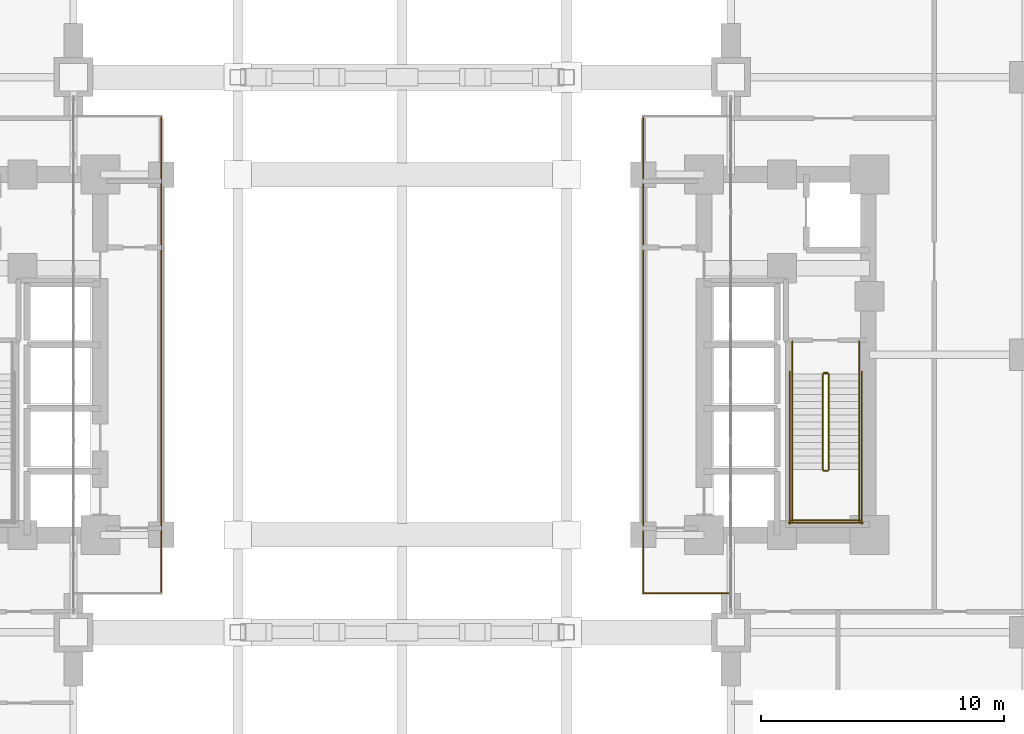
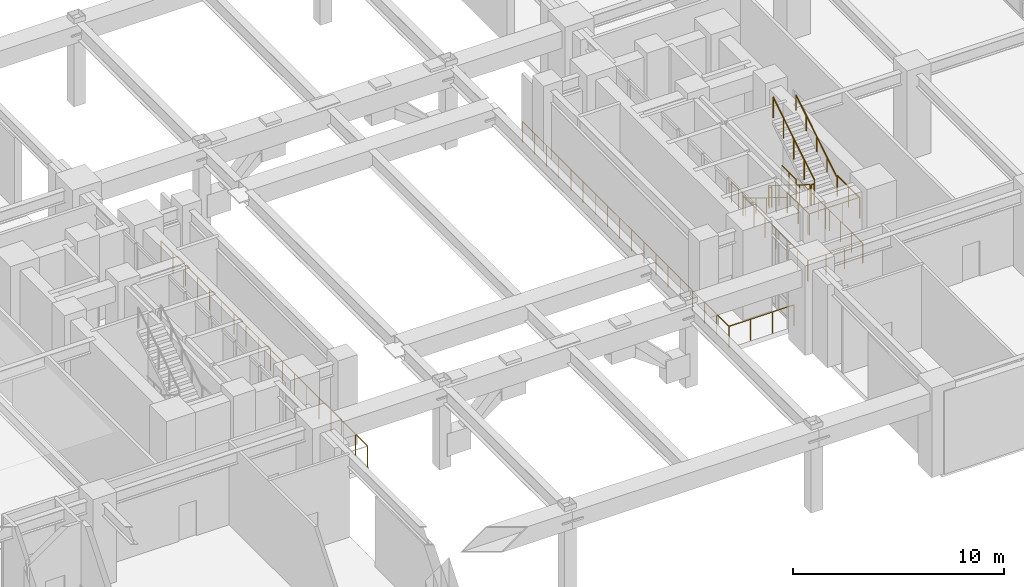
# One storey, part 24 of 26: 17 railings.
"""IFC4 building model written with IfcOpenShell, lengths in metres."""

from ifc_helpers import new_model, si_unit, direction, frame, origin, origin_2d, place, context, subcontext, project, spatial, circle, extrude, material, type_object, element, save


model = new_model("IFC4")

# Units and contexts
model_context = context("Model", 3, precision=1e-05, world=origin(), true_north=direction((0.0, 1.0)))
body_context = subcontext(model_context, "Body", "Model", "MODEL_VIEW")
ifc_project = project(units=[si_unit("LENGTHUNIT", "METRE"), si_unit("AREAUNIT", "SQUARE_METRE"), si_unit("VOLUMEUNIT", "CUBIC_METRE"), si_unit("PLANEANGLEUNIT", "RADIAN"), si_unit("MASSUNIT", "GRAM", prefix="KILO")], contexts=[model_context])

# Site, building, storey
site_placement = place(None, origin())
site = spatial("IfcSite", under=ifc_project, at=site_placement, CompositionType="ELEMENT")
building_placement = place(site_placement, origin())
building = spatial("IfcBuilding", under=site, at=building_placement, Name="Voryun Gate Residences", CompositionType="ELEMENT")
storey_placement = place(building_placement, frame((0.0, 0.0, 15.60009765625)))
storey = spatial("IfcBuildingStorey", under=building, at=storey_placement, Name="L03", CompositionType="ELEMENT", Elevation=15.60009765625)

# Railings
ifc_material_1 = material(Name="Painted steel", Category="steel")
railing_type_1 = type_object("IfcRailingType", Name="RAIL_STAIR_GUARD_1200", PredefinedType="GUARDRAIL", material=ifc_material_1)
railing_1_placement = place(storey_placement, frame((17.27490234375, -0.800048828125, 0.17333984375)))
element("IfcRailing", 1, at=railing_1_placement, inside=storey, type_object=railing_type_1, Name="L03 ST-E1 stair guard 1", PredefinedType="GUARDRAIL", context=body_context, shape_type="SweptSolid", body=[
    extrude(circle(Radius=0.02392578125, at=origin_2d()), frame((0.0, 0.0, 1.17578125), z_axis=(0.0, -0.850275303828, 0.526338206574), x_axis=(1.0, 0.0, 0.0)), (0.0, 0.0, 1.0), 4.610107421875),
    extrude(circle(Radius=0.02099609375, at=origin_2d()), origin(), (0.0, 0.0, 1.0), 1.15185546875),
    extrude(circle(Radius=0.02099609375, at=origin_2d()), frame((0.0, -0.97998046875, 0.606689453125)), (0.0, 0.0, 1.0), 1.15185546875),
    extrude(circle(Radius=0.02099609375, at=origin_2d()), frame((0.0, -1.9599609375, 1.21337890625)), (0.0, 0.0, 1.0), 1.15185546875),
    extrude(circle(Radius=0.02099609375, at=origin_2d()), frame((0.0, -2.93994140625, 1.81982421875)), (0.0, 0.0, 1.0), 1.15185546875),
    extrude(circle(Radius=0.02099609375, at=origin_2d()), frame((0.0, -3.919921875, 2.426513671875)), (0.0, 0.0, 1.0), 1.15185546875),
])
railing_2_placement = place(storey_placement, frame((17.324951171875, -4.77001953125, 2.599853515625)))
element("IfcRailing", 2, at=railing_2_placement, inside=storey, type_object=railing_type_1, Name="L03 ST-E1 stair guard 2", PredefinedType="GUARDRAIL", context=body_context, shape_type="SweptSolid", body=[
    extrude(circle(Radius=0.02392578125, at=origin_2d()), frame((0.0, 0.0, 1.17578125), z_axis=(1.0, 0.0, 0.0), x_axis=(0.0, 1.0, 0.0)), (0.0, 0.0, 1.0), 0.150146484375),
    extrude(circle(Radius=0.02099609375, at=origin_2d()), origin(), (0.0, 0.0, 1.0), 1.15185546875),
    extrude(circle(Radius=0.02099609375, at=origin_2d()), frame((0.150146484375, 0.0, 0.0)), (0.0, 0.0, 1.0), 1.15185546875),
])
for number, where, name in (
    (3, (16.02490234375, -4.719970703125, 2.599853515625), "L03 ST-E1 stair guard 3"),
    (4, (18.77490234375, -4.719970703125, 2.599853515625), "L03 ST-E1 stair guard 4"),
):
    element("IfcRailing", number, at=place(storey_placement, frame(where)), inside=storey, type_object=railing_type_1, Name=name, PredefinedType="GUARDRAIL", context=body_context, shape_type="SweptSolid", body=[
        extrude(circle(Radius=0.02392578125, at=origin_2d()), frame((0.0, 0.0, 1.17578125), z_axis=(0.0, -1.0, 0.0), x_axis=(1.0, 0.0, 0.0)), (0.0, 0.0, 1.0), 2.130126953125),
        extrude(circle(Radius=0.02099609375, at=origin_2d()), origin(), (0.0, 0.0, 1.0), 1.15185546875),
        extrude(circle(Radius=0.02099609375, at=origin_2d()), frame((0.0, -1.06494140625, 0.0)), (0.0, 0.0, 1.0), 1.15185546875),
        extrude(circle(Radius=0.02099609375, at=origin_2d()), frame((0.0, -2.130126953125, 0.0)), (0.0, 0.0, 1.0), 1.15185546875),
    ])
railing_3_placement = place(storey_placement, frame((15.97509765625, -6.800048828125, 2.599853515625)))
element("IfcRailing", 5, at=railing_3_placement, inside=storey, type_object=railing_type_1, Name="L03 ST-E1 stair guard 5", PredefinedType="GUARDRAIL", context=body_context, shape_type="SweptSolid", body=[
    extrude(circle(Radius=0.02392578125, at=origin_2d()), frame((0.0, 0.0, 1.17578125), z_axis=(1.0, 0.0, 0.0), x_axis=(0.0, 1.0, 0.0)), (0.0, 0.0, 1.0), 2.849853515625),
    extrude(circle(Radius=0.02099609375, at=origin_2d()), origin(), (0.0, 0.0, 1.0), 1.15185546875),
    extrude(circle(Radius=0.02099609375, at=origin_2d()), frame((0.949951171875, 0.0, 0.0)), (0.0, 0.0, 1.0), 1.15185546875),
    extrude(circle(Radius=0.02099609375, at=origin_2d()), frame((1.89990234375, 0.0, 0.0)), (0.0, 0.0, 1.0), 1.15185546875),
    extrude(circle(Radius=0.02099609375, at=origin_2d()), frame((2.849853515625, 0.0, 0.0)), (0.0, 0.0, 1.0), 1.15185546875),
])
railing_4_placement = place(storey_placement, frame((17.52490234375, -4.719970703125, 2.773193359375)))
element("IfcRailing", 6, at=railing_4_placement, inside=storey, type_object=railing_type_1, Name="L03 ST-E1 stair guard 6", PredefinedType="GUARDRAIL", context=body_context, shape_type="SweptSolid", body=[
    extrude(circle(Radius=0.02392578125, at=origin_2d()), frame((0.0, 0.0, 1.17578125), z_axis=(0.0, 0.850251603719, 0.526376491091), x_axis=(-1.0, 0.0, 0.0)), (0.0, 0.0, 1.0), 4.6103515625),
    extrude(circle(Radius=0.02099609375, at=origin_2d()), origin(), (0.0, 0.0, 1.0), 1.15185546875),
    extrude(circle(Radius=0.02099609375, at=origin_2d()), frame((0.0, 0.97998046875, 0.606689453125)), (0.0, 0.0, 1.0), 1.15185546875),
    extrude(circle(Radius=0.02099609375, at=origin_2d()), frame((0.0, 1.9599609375, 1.21337890625)), (0.0, 0.0, 1.0), 1.15185546875),
    extrude(circle(Radius=0.02099609375, at=origin_2d()), frame((0.0, 2.93994140625, 1.820068359375)), (0.0, 0.0, 1.0), 1.15185546875),
    extrude(circle(Radius=0.02099609375, at=origin_2d()), frame((0.0, 3.919921875, 2.4267578125)), (0.0, 0.0, 1.0), 1.15185546875),
])
railing_5_placement = place(storey_placement, frame((17.324951171875, -0.75, 0.0)))
element("IfcRailing", 7, at=railing_5_placement, inside=storey, type_object=railing_type_1, Name="L03 ST-E1 stair guard 7", PredefinedType="GUARDRAIL", context=body_context, shape_type="SweptSolid", body=[
    extrude(circle(Radius=0.02392578125, at=origin_2d()), frame((0.0, 0.0, 1.17578125), z_axis=(1.0, 0.0, 0.0), x_axis=(0.0, 1.0, 0.0)), (0.0, 0.0, 1.0), 0.150146484375),
    extrude(circle(Radius=0.02099609375, at=origin_2d()), origin(), (0.0, 0.0, 1.0), 1.15185546875),
    extrude(circle(Radius=0.02099609375, at=origin_2d()), frame((0.150146484375, 0.0, 0.0)), (0.0, 0.0, 1.0), 1.15185546875),
])
for number, where, name in (
    (8, (16.02490234375, 0.550048828125, 0.0), "L03 ST-E1 stair guard 8"),
    (9, (18.77490234375, 0.550048828125, 0.0), "L03 ST-E1 stair guard 9"),
):
    element("IfcRailing", number, at=place(storey_placement, frame(where)), inside=storey, type_object=railing_type_1, Name=name, PredefinedType="GUARDRAIL", context=body_context, shape_type="SweptSolid", body=[
        extrude(circle(Radius=0.02392578125, at=origin_2d()), frame((0.0, 0.0, 1.17578125), z_axis=(0.0, -1.0, 0.0), x_axis=(1.0, 0.0, 0.0)), (0.0, 0.0, 1.0), 1.35009765625),
        extrude(circle(Radius=0.02099609375, at=origin_2d()), origin(), (0.0, 0.0, 1.0), 1.15185546875),
        extrude(circle(Radius=0.02099609375, at=origin_2d()), frame((0.0, -0.675048828125, 0.0)), (0.0, 0.0, 1.0), 1.15185546875),
        extrude(circle(Radius=0.02099609375, at=origin_2d()), frame((0.0, -1.35009765625, 0.0)), (0.0, 0.0, 1.0), 1.15185546875),
    ])
for number, where, name in (
    (10, (15.925048828125, -0.699951171875, 0.0), "L03 ST-E1 stair guard 10"),
    (11, (18.875, -0.699951171875, 0.0), "L03 ST-E1 stair guard 11"),
):
    element("IfcRailing", number, at=place(storey_placement, frame(where)), inside=storey, type_object=railing_type_1, Name=name, PredefinedType="GUARDRAIL", context=body_context, shape_type="SweptSolid", body=[
        extrude(circle(Radius=0.02392578125, at=origin_2d()), frame((0.0, 0.0, 1.17578125), z_axis=(0.0, -1.0, 0.0), x_axis=(1.0, 0.0, 0.0)), (0.0, 0.0, 1.0), 6.25),
        extrude(circle(Radius=0.02099609375, at=origin_2d()), origin(), (0.0, 0.0, 1.0), 1.15185546875),
        extrude(circle(Radius=0.02099609375, at=origin_2d()), frame((0.0, -1.041748046875, 0.0)), (0.0, 0.0, 1.0), 1.15185546875),
        extrude(circle(Radius=0.02099609375, at=origin_2d()), frame((0.0, -2.083251953125, 0.0)), (0.0, 0.0, 1.0), 1.15185546875),
        extrude(circle(Radius=0.02099609375, at=origin_2d()), frame((0.0, -3.125, 0.0)), (0.0, 0.0, 1.0), 1.15185546875),
        extrude(circle(Radius=0.02099609375, at=origin_2d()), frame((0.0, -4.166748046875, 0.0)), (0.0, 0.0, 1.0), 1.15185546875),
        extrude(circle(Radius=0.02099609375, at=origin_2d()), frame((0.0, -5.208251953125, 0.0)), (0.0, 0.0, 1.0), 1.15185546875),
        extrude(circle(Radius=0.02099609375, at=origin_2d()), frame((0.0, -6.25, 0.0)), (0.0, 0.0, 1.0), 1.15185546875),
    ])
railing_6_placement = place(storey_placement, frame((15.875, -6.89990234375, 0.0)))
element("IfcRailing", 12, at=railing_6_placement, inside=storey, type_object=railing_type_1, Name="L03 ST-E1 stair guard 12", PredefinedType="GUARDRAIL", context=body_context, shape_type="SweptSolid", body=[
    extrude(circle(Radius=0.02392578125, at=origin_2d()), frame((0.0, 0.0, 1.17578125), z_axis=(1.0, 0.0, 0.0), x_axis=(0.0, 1.0, 0.0)), (0.0, 0.0, 1.0), 3.050048828125),
    extrude(circle(Radius=0.02099609375, at=origin_2d()), origin(), (0.0, 0.0, 1.0), 1.15185546875),
    extrude(circle(Radius=0.02099609375, at=origin_2d()), frame((1.0166015625, 0.0, 0.0)), (0.0, 0.0, 1.0), 1.15185546875),
    extrude(circle(Radius=0.02099609375, at=origin_2d()), frame((2.033447265625, 0.0, 0.0)), (0.0, 0.0, 1.0), 1.15185546875),
    extrude(circle(Radius=0.02099609375, at=origin_2d()), frame((3.050048828125, 0.0, 0.0)), (0.0, 0.0, 1.0), 1.15185546875),
])
ifc_material_2 = material(Name="Painted steel", Category="steel")
railing_type_2 = type_object("IfcRailingType", Name="RAIL_STAIR_HANDRAIL_900", PredefinedType="HANDRAIL", material=ifc_material_2)
railing_7_placement = place(storey_placement, frame((16.02490234375, -0.800048828125, 0.17333984375)))
element("IfcRailing", 13, at=railing_7_placement, inside=storey, type_object=railing_type_2, Name="L03 ST-E1 stair handrail 1", PredefinedType="HANDRAIL", context=body_context, shape_type="SweptSolid", body=[
    extrude(circle(Radius=0.02392578125, at=origin_2d()), frame((0.0, 0.0, 0.8759765625), z_axis=(0.0, -0.850275303828, 0.526338206574), x_axis=(1.0, 0.0, 0.0)), (0.0, 0.0, 1.0), 4.610107421875),
    extrude(circle(Radius=0.02099609375, at=origin_2d()), origin(), (0.0, 0.0, 1.0), 0.851806640625),
    extrude(circle(Radius=0.02099609375, at=origin_2d()), frame((0.0, -0.97998046875, 0.606689453125)), (0.0, 0.0, 1.0), 0.851806640625),
    extrude(circle(Radius=0.02099609375, at=origin_2d()), frame((0.0, -1.9599609375, 1.21337890625)), (0.0, 0.0, 1.0), 0.851806640625),
    extrude(circle(Radius=0.02099609375, at=origin_2d()), frame((0.0, -2.93994140625, 1.81982421875)), (0.0, 0.0, 1.0), 0.851806640625),
    extrude(circle(Radius=0.02099609375, at=origin_2d()), frame((0.0, -3.919921875, 2.426513671875)), (0.0, 0.0, 1.0), 0.851806640625),
])
railing_8_placement = place(storey_placement, frame((18.77490234375, -4.719970703125, 2.773193359375)))
element("IfcRailing", 14, at=railing_8_placement, inside=storey, type_object=railing_type_2, Name="L03 ST-E1 stair handrail 2", PredefinedType="HANDRAIL", context=body_context, shape_type="SweptSolid", body=[
    extrude(circle(Radius=0.02392578125, at=origin_2d()), frame((0.0, 0.0, 0.8759765625), z_axis=(0.0, 0.850251603719, 0.526376491091), x_axis=(-1.0, 0.0, 0.0)), (0.0, 0.0, 1.0), 4.6103515625),
    extrude(circle(Radius=0.02099609375, at=origin_2d()), origin(), (0.0, 0.0, 1.0), 0.851806640625),
    extrude(circle(Radius=0.02099609375, at=origin_2d()), frame((0.0, 0.97998046875, 0.606689453125)), (0.0, 0.0, 1.0), 0.851806640625),
    extrude(circle(Radius=0.02099609375, at=origin_2d()), frame((0.0, 1.9599609375, 1.21337890625)), (0.0, 0.0, 1.0), 0.851806640625),
    extrude(circle(Radius=0.02099609375, at=origin_2d()), frame((0.0, 2.93994140625, 1.820068359375)), (0.0, 0.0, 1.0), 0.851806640625),
    extrude(circle(Radius=0.02099609375, at=origin_2d()), frame((0.0, 3.919921875, 2.4267578125)), (0.0, 0.0, 1.0), 0.851806640625),
])
ifc_material_3 = material(Name="Anodised aluminium", Category="aluminium")
railing_type_3 = type_object("IfcRailingType", Name="RAIL_TERRACE_GUARD_1250", PredefinedType="GUARDRAIL", material=ifc_material_3)
railing_9_placement = place(storey_placement, frame((-9.89990234375, -9.800048828125, 0.0)))
element("IfcRailing", 15, at=railing_9_placement, inside=storey, type_object=railing_type_3, Name="Terrace guard RL-L03-ARCH-W-02", PredefinedType="GUARDRAIL", context=body_context, shape_type="SweptSolid", body=[
    extrude(circle(Radius=0.02392578125, at=origin_2d()), frame((0.0, 0.0, 1.22607421875), z_axis=(0.0, 1.0, 0.0), x_axis=(-1.0, 0.0, 0.0)), (0.0, 0.0, 1.0), 19.60009765625),
    extrude(circle(Radius=0.02099609375, at=origin_2d()), origin(), (0.0, 0.0, 1.0), 1.201904296875),
    extrude(circle(Radius=0.02099609375, at=origin_2d()), frame((0.0, 1.15283203125, 0.0)), (0.0, 0.0, 1.0), 1.201904296875),
    extrude(circle(Radius=0.02099609375, at=origin_2d()), frame((0.0, 2.305908203125, 0.0)), (0.0, 0.0, 1.0), 1.201904296875),
    extrude(circle(Radius=0.02099609375, at=origin_2d()), frame((0.0, 3.458740234375, 0.0)), (0.0, 0.0, 1.0), 1.201904296875),
    extrude(circle(Radius=0.02099609375, at=origin_2d()), frame((0.0, 4.61181640625, 0.0)), (0.0, 0.0, 1.0), 1.201904296875),
    extrude(circle(Radius=0.02099609375, at=origin_2d()), frame((0.0, 5.7646484375, 0.0)), (0.0, 0.0, 1.0), 1.201904296875),
    extrude(circle(Radius=0.02099609375, at=origin_2d()), frame((0.0, 6.917724609375, 0.0)), (0.0, 0.0, 1.0), 1.201904296875),
    extrude(circle(Radius=0.02099609375, at=origin_2d()), frame((0.0, 8.070556640625, 0.0)), (0.0, 0.0, 1.0), 1.201904296875),
    extrude(circle(Radius=0.02099609375, at=origin_2d()), frame((0.0, 9.2236328125, 0.0)), (0.0, 0.0, 1.0), 1.201904296875),
    extrude(circle(Radius=0.02099609375, at=origin_2d()), frame((0.0, 10.37646484375, 0.0)), (0.0, 0.0, 1.0), 1.201904296875),
    extrude(circle(Radius=0.02099609375, at=origin_2d()), frame((0.0, 11.529541015625, 0.0)), (0.0, 0.0, 1.0), 1.201904296875),
    extrude(circle(Radius=0.02099609375, at=origin_2d()), frame((0.0, 12.682373046875, 0.0)), (0.0, 0.0, 1.0), 1.201904296875),
    extrude(circle(Radius=0.02099609375, at=origin_2d()), frame((0.0, 13.83544921875, 0.0)), (0.0, 0.0, 1.0), 1.201904296875),
    extrude(circle(Radius=0.02099609375, at=origin_2d()), frame((0.0, 14.98828125, 0.0)), (0.0, 0.0, 1.0), 1.201904296875),
    extrude(circle(Radius=0.02099609375, at=origin_2d()), frame((0.0, 16.141357421875, 0.0)), (0.0, 0.0, 1.0), 1.201904296875),
    extrude(circle(Radius=0.02099609375, at=origin_2d()), frame((0.0, 17.294189453125, 0.0)), (0.0, 0.0, 1.0), 1.201904296875),
    extrude(circle(Radius=0.02099609375, at=origin_2d()), frame((0.0, 18.447265625, 0.0)), (0.0, 0.0, 1.0), 1.201904296875),
    extrude(circle(Radius=0.02099609375, at=origin_2d()), frame((0.0, 19.60009765625, 0.0)), (0.0, 0.0, 1.0), 1.201904296875),
])
railing_10_placement = place(storey_placement, frame((13.47998046875, -9.800048828125, 0.0)))
element("IfcRailing", 16, at=railing_10_placement, inside=storey, type_object=railing_type_3, Name="Terrace guard RL-L03-ARCH-E-01", PredefinedType="GUARDRAIL", context=body_context, shape_type="SweptSolid", body=[
    extrude(circle(Radius=0.02392578125, at=origin_2d()), frame((0.0, 0.0, 1.22607421875), z_axis=(-1.0, 0.0, 0.0), x_axis=(0.0, -1.0, 0.0)), (0.0, 0.0, 1.0), 3.580078125),
    extrude(circle(Radius=0.02099609375, at=origin_2d()), origin(), (0.0, 0.0, 1.0), 1.201904296875),
    extrude(circle(Radius=0.02099609375, at=origin_2d()), frame((-1.193359375, 0.0, 0.0)), (0.0, 0.0, 1.0), 1.201904296875),
    extrude(circle(Radius=0.02099609375, at=origin_2d()), frame((-2.38671875, 0.0, 0.0)), (0.0, 0.0, 1.0), 1.201904296875),
    extrude(circle(Radius=0.02099609375, at=origin_2d()), frame((-3.580078125, 0.0, 0.0)), (0.0, 0.0, 1.0), 1.201904296875),
])
railing_11_placement = place(storey_placement, frame((9.89990234375, -9.800048828125, 0.0)))
element("IfcRailing", 17, at=railing_11_placement, inside=storey, type_object=railing_type_3, Name="Terrace guard RL-L03-ARCH-E-02", PredefinedType="GUARDRAIL", context=body_context, shape_type="SweptSolid", body=[
    extrude(circle(Radius=0.02392578125, at=origin_2d()), frame((0.0, 0.0, 1.22607421875), z_axis=(0.0, 1.0, 0.0), x_axis=(-1.0, 0.0, 0.0)), (0.0, 0.0, 1.0), 19.60009765625),
    extrude(circle(Radius=0.02099609375, at=origin_2d()), origin(), (0.0, 0.0, 1.0), 1.201904296875),
    extrude(circle(Radius=0.02099609375, at=origin_2d()), frame((0.0, 1.15283203125, 0.0)), (0.0, 0.0, 1.0), 1.201904296875),
    extrude(circle(Radius=0.02099609375, at=origin_2d()), frame((0.0, 2.305908203125, 0.0)), (0.0, 0.0, 1.0), 1.201904296875),
    extrude(circle(Radius=0.02099609375, at=origin_2d()), frame((0.0, 3.458740234375, 0.0)), (0.0, 0.0, 1.0), 1.201904296875),
    extrude(circle(Radius=0.02099609375, at=origin_2d()), frame((0.0, 4.61181640625, 0.0)), (0.0, 0.0, 1.0), 1.201904296875),
    extrude(circle(Radius=0.02099609375, at=origin_2d()), frame((0.0, 5.7646484375, 0.0)), (0.0, 0.0, 1.0), 1.201904296875),
    extrude(circle(Radius=0.02099609375, at=origin_2d()), frame((0.0, 6.917724609375, 0.0)), (0.0, 0.0, 1.0), 1.201904296875),
    extrude(circle(Radius=0.02099609375, at=origin_2d()), frame((0.0, 8.070556640625, 0.0)), (0.0, 0.0, 1.0), 1.201904296875),
    extrude(circle(Radius=0.02099609375, at=origin_2d()), frame((0.0, 9.2236328125, 0.0)), (0.0, 0.0, 1.0), 1.201904296875),
    extrude(circle(Radius=0.02099609375, at=origin_2d()), frame((0.0, 10.37646484375, 0.0)), (0.0, 0.0, 1.0), 1.201904296875),
    extrude(circle(Radius=0.02099609375, at=origin_2d()), frame((0.0, 11.529541015625, 0.0)), (0.0, 0.0, 1.0), 1.201904296875),
    extrude(circle(Radius=0.02099609375, at=origin_2d()), frame((0.0, 12.682373046875, 0.0)), (0.0, 0.0, 1.0), 1.201904296875),
    extrude(circle(Radius=0.02099609375, at=origin_2d()), frame((0.0, 13.83544921875, 0.0)), (0.0, 0.0, 1.0), 1.201904296875),
    extrude(circle(Radius=0.02099609375, at=origin_2d()), frame((0.0, 14.98828125, 0.0)), (0.0, 0.0, 1.0), 1.201904296875),
    extrude(circle(Radius=0.02099609375, at=origin_2d()), frame((0.0, 16.141357421875, 0.0)), (0.0, 0.0, 1.0), 1.201904296875),
    extrude(circle(Radius=0.02099609375, at=origin_2d()), frame((0.0, 17.294189453125, 0.0)), (0.0, 0.0, 1.0), 1.201904296875),
    extrude(circle(Radius=0.02099609375, at=origin_2d()), frame((0.0, 18.447265625, 0.0)), (0.0, 0.0, 1.0), 1.201904296875),
    extrude(circle(Radius=0.02099609375, at=origin_2d()), frame((0.0, 19.60009765625, 0.0)), (0.0, 0.0, 1.0), 1.201904296875),
])

save(model, "model.ifc")
